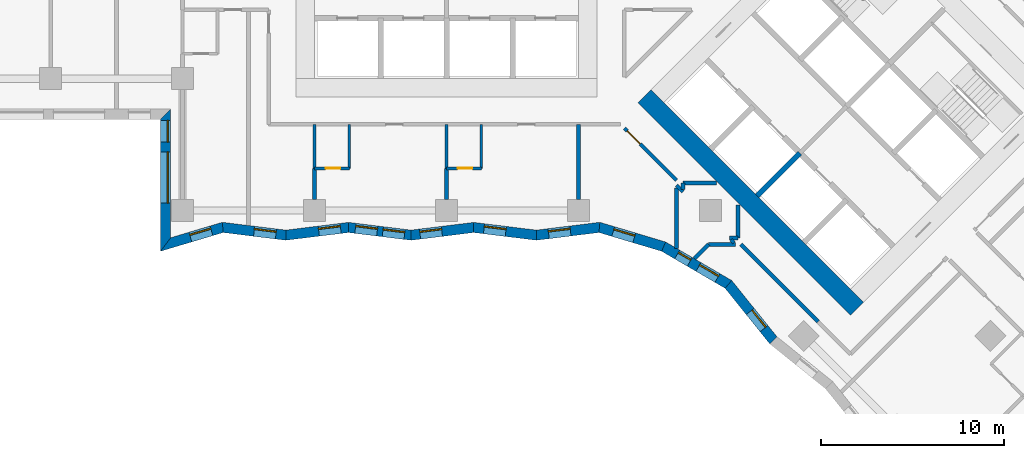
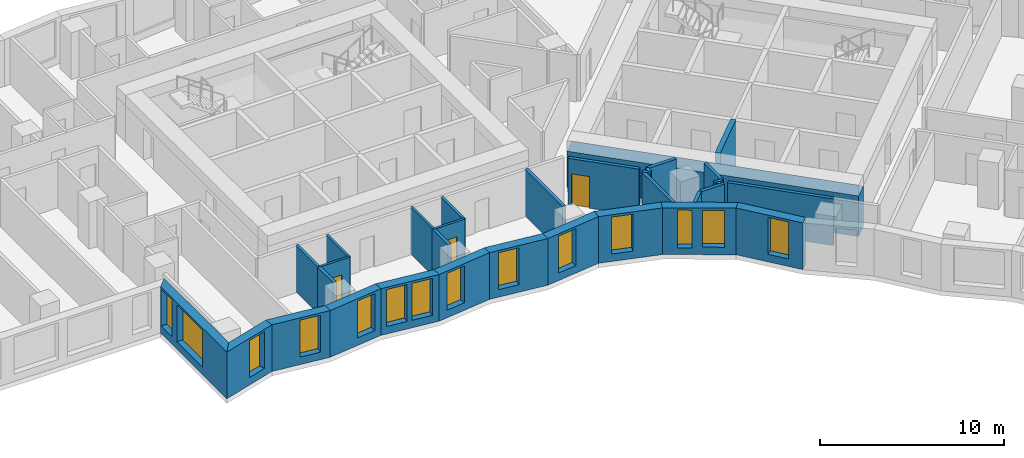
# One storey, part 2 of 13: 33 walls, 14 windows, 3 doors, 17 openings.
"""IFC4 building model written with IfcOpenShell, lengths in metres."""

from ifc_helpers import new_model, si_unit, direction, frame, frame_2d, origin, place, context, subcontext, project, spatial, polyline, rectangle, outline, extrude, material, layer, layer_set, type_object, element, fill, save


model = new_model("IFC4")

# Units and contexts
model_context = context("Model", 3, precision=1e-05, world=origin(), true_north=direction((0.0, 1.0)))
body_context = subcontext(model_context, "Body", "Model", "MODEL_VIEW")
ifc_project = project(units=[si_unit("LENGTHUNIT", "METRE"), si_unit("AREAUNIT", "SQUARE_METRE"), si_unit("VOLUMEUNIT", "CUBIC_METRE"), si_unit("PLANEANGLEUNIT", "RADIAN"), si_unit("MASSUNIT", "GRAM", prefix="KILO")], contexts=[model_context])

# Site, building, storey
site_placement = place(None, origin())
site = spatial("IfcSite", under=ifc_project, at=site_placement, CompositionType="ELEMENT")
building_placement = place(site_placement, origin())
building = spatial("IfcBuilding", under=site, at=building_placement, Name="Windrow Commons", CompositionType="ELEMENT")
storey_placement = place(building_placement, frame((0.0, 0.0, 40.6)))
storey = spatial("IfcBuildingStorey", under=building, at=storey_placement, Name="L10", CompositionType="ELEMENT", Elevation=40.6)

# Wall, openings, windows
ifc_material_1 = material(Name="Brick masonry, red clay brick", Category="masonry")
ifc_layer_1 = layer(ifc_material_1, 0.55)
ifc_layer_set_1 = layer_set([ifc_layer_1], Name="Brick facade wall 550")
wall_type_1 = type_object("IfcWallType", Name="Brick facade wall 550", PredefinedType="SOLIDWALL", material=ifc_layer_set_1)
wall_1_placement = place(storey_placement, frame((49.475, 48.454, 0.0), z_axis=(0.0, 0.0, 1.0), x_axis=(0.0, -1.0, 0.0)))
wall_1 = element("IfcWall", 1, at=wall_1_placement, inside=storey, type_object=wall_type_1, Name="Brick facade wall L10 45", PredefinedType="SOLIDWALL", context=body_context, shape_type="SweptSolid", body=[
    extrude(outline(polyline([(0.275, -0.275), (7.475, -0.275), (6.7366, 0.275), (-0.275, 0.275), (0.275, -0.275)])), origin(), (0.0, 0.0, 1.0), 3.1),
])
opening_1_placement = place(wall_1_placement, frame((2.054, 0.0, 0.5)))
opening_1 = element("IfcOpeningElement", 2, at=opening_1_placement, cuts=wall_1, Name="Opening W1T", PredefinedType="OPENING", context=body_context, shape_type="SweptSolid", body=[
    extrude(rectangle(XDim=2.8, YDim=2.45, at=frame_2d((1.4, 1.225))), frame((0.0, 0.285, 0.0), z_axis=(0.0, -1.0, 0.0), x_axis=(1.0, 0.0, 0.0)), (0.0, 0.0, 1.0), 0.57),
])
opening_2_placement = place(wall_1_placement, frame((0.327, 0.0, 0.5)))
opening_2 = element("IfcOpeningElement", 3, at=opening_2_placement, cuts=wall_1, Name="Opening W7D", PredefinedType="OPENING", context=body_context, shape_type="SweptSolid", body=[
    extrude(rectangle(XDim=1.2, YDim=2.45, at=frame_2d((0.6, 1.225))), frame((0.0, 0.285, 0.0), z_axis=(0.0, -1.0, 0.0), x_axis=(1.0, 0.0, 0.0)), (0.0, 0.0, 1.0), 0.57),
])
ifc_material_2 = material(Name="Clear float glass in anodised aluminium frame", Category="aluminium")
window_type_1 = type_object("IfcWindowType", Name="Window W1T bedroom 2800x2450", PartitioningType="SINGLE_PANEL", PredefinedType="WINDOW", material=ifc_material_2)
window_1_placement = place(opening_1_placement, origin())
window_1 = element("IfcWindow", 4, at=window_1_placement, inside=storey, type_object=window_type_1, Name="Window L10 45.1", OverallHeight=2.45, OverallWidth=2.8, PartitioningType="SINGLE_PANEL", PredefinedType="WINDOW", context=body_context, shape_type="SweptSolid", body=[
    extrude(rectangle(XDim=2.8, YDim=2.45, at=frame_2d((1.4, 1.225))), frame((0.0, 0.155, 0.0), z_axis=(0.0, -1.0, 0.0), x_axis=(1.0, 0.0, 0.0)), (0.0, 0.0, 1.0), 0.06),
])
fill(opening_1, window_1)
ifc_material_3 = material(Name="Clear float glass in anodised aluminium frame", Category="aluminium")
window_type_2 = type_object("IfcWindowType", Name="Window W7 notch 1200x2450", PartitioningType="SINGLE_PANEL", PredefinedType="WINDOW", material=ifc_material_3)
window_2_placement = place(opening_2_placement, origin())
window_2 = element("IfcWindow", 5, at=window_2_placement, inside=storey, type_object=window_type_2, Name="Window L10 45.2", OverallHeight=2.45, OverallWidth=1.2, PartitioningType="SINGLE_PANEL", PredefinedType="WINDOW", context=body_context, shape_type="SweptSolid", body=[
    extrude(rectangle(XDim=1.2, YDim=2.45, at=frame_2d((0.6, 1.225))), frame((0.0, 0.155, 0.0), z_axis=(0.0, -1.0, 0.0), x_axis=(1.0, 0.0, 0.0)), (0.0, 0.0, 1.0), 0.06),
])
fill(opening_2, window_2)

# Wall, opening, window
wall_2_placement = place(storey_placement, frame((49.475, 41.3482, 0.0), z_axis=(0.0, 0.0, 1.0), x_axis=(0.9581327376, 0.2863243914, 0.0)))
wall_2 = element("IfcWall", 6, at=wall_2_placement, inside=storey, type_object=wall_type_1, Name="Brick facade wall L10 46", PredefinedType="SOLIDWALL", context=body_context, shape_type="SweptSolid", body=[
    extrude(outline(polyline([(-0.3692, -0.275), (3.1967, -0.275), (3.3119, 0.275), (0.3692, 0.275), (-0.3692, -0.275)])), origin(), (0.0, 0.0, 1.0), 3.1),
])
opening_3_placement = place(wall_2_placement, frame((1.4099, 0.0, 0.5)))
opening_3 = element("IfcOpeningElement", 7, at=opening_3_placement, cuts=wall_2, Name="Opening W7D", PredefinedType="OPENING", context=body_context, shape_type="SweptSolid", body=[
    extrude(rectangle(XDim=1.2, YDim=2.45, at=frame_2d((0.6, 1.225))), frame((0.0, 0.285, 0.0), z_axis=(0.0, -1.0, 0.0), x_axis=(1.0, 0.0, 0.0)), (0.0, 0.0, 1.0), 0.57),
])
window_3_placement = place(opening_3_placement, origin())
window_3 = element("IfcWindow", 8, at=window_3_placement, inside=storey, type_object=window_type_2, Name="Window L10 46.1", OverallHeight=2.45, OverallWidth=1.2, PartitioningType="SINGLE_PANEL", PredefinedType="WINDOW", context=body_context, shape_type="SweptSolid", body=[
    extrude(rectangle(XDim=1.2, YDim=2.45, at=frame_2d((0.6, 1.225))), frame((0.0, 0.155, 0.0), z_axis=(0.0, -1.0, 0.0), x_axis=(1.0, 0.0, 0.0)), (0.0, 0.0, 1.0), 0.06),
])
fill(opening_3, window_3)

wall_3_placement = place(storey_placement, frame((52.5931, 42.28, 0.0), z_axis=(0.0, 0.0, 1.0), x_axis=(0.9924934036, -0.1222981756, 0.0)))
wall_3 = element("IfcWall", 9, at=wall_3_placement, inside=storey, type_object=wall_type_1, Name="Brick facade wall L10 47", PredefinedType="SOLIDWALL", context=body_context, shape_type="SweptSolid", body=[
    extrude(outline(polyline([(0.0576, -0.275), (3.5001, -0.275), (3.4323, 0.275), (-0.0576, 0.275), (0.0576, -0.275)])), origin(), (0.0, 0.0, 1.0), 3.1),
])
opening_4_placement = place(wall_3_placement, frame((1.7249, 0.0, 0.5)))
opening_4 = element("IfcOpeningElement", 10, at=opening_4_placement, cuts=wall_3, Name="Opening W7D", PredefinedType="OPENING", context=body_context, shape_type="SweptSolid", body=[
    extrude(rectangle(XDim=1.2, YDim=2.45, at=frame_2d((0.6, 1.225))), frame((0.0, 0.285, 0.0), z_axis=(0.0, -1.0, 0.0), x_axis=(1.0, 0.0, 0.0)), (0.0, 0.0, 1.0), 0.57),
])
window_4_placement = place(opening_4_placement, origin())
window_4 = element("IfcWindow", 11, at=window_4_placement, inside=storey, type_object=window_type_2, Name="Window L10 47.1", OverallHeight=2.45, OverallWidth=1.2, PartitioningType="SINGLE_PANEL", PredefinedType="WINDOW", context=body_context, shape_type="SweptSolid", body=[
    extrude(rectangle(XDim=1.2, YDim=2.45, at=frame_2d((0.6, 1.225))), frame((0.0, 0.155, 0.0), z_axis=(0.0, -1.0, 0.0), x_axis=(1.0, 0.0, 0.0)), (0.0, 0.0, 1.0), 0.06),
])
fill(opening_4, window_4)

wall_4_placement = place(storey_placement, frame((56.0332, 41.8561, 0.0), z_axis=(0.0, 0.0, 1.0), x_axis=(0.9924939881, 0.122293432, 0.0)))
wall_4 = element("IfcWall", 12, at=wall_4_placement, inside=storey, type_object=wall_type_1, Name="Brick facade wall L10 48", PredefinedType="SOLIDWALL", context=body_context, shape_type="SweptSolid", body=[
    extrude(outline(polyline([(-0.0339, -0.275), (3.4086, -0.275), (3.4763, 0.275), (0.0339, 0.275), (-0.0339, -0.275)])), origin(), (0.0, 0.0, 1.0), 3.1),
])
opening_5_placement = place(wall_4_placement, frame((1.8105, 0.0, 0.5)))
opening_5 = element("IfcOpeningElement", 13, at=opening_5_placement, cuts=wall_4, Name="Opening W7D", PredefinedType="OPENING", context=body_context, shape_type="SweptSolid", body=[
    extrude(rectangle(XDim=1.2, YDim=2.45, at=frame_2d((0.6, 1.225))), frame((0.0, 0.285, 0.0), z_axis=(0.0, -1.0, 0.0), x_axis=(1.0, 0.0, 0.0)), (0.0, 0.0, 1.0), 0.57),
])
window_5_placement = place(opening_5_placement, origin())
window_5 = element("IfcWindow", 14, at=window_5_placement, inside=storey, type_object=window_type_2, Name="Window L10 48.1", OverallHeight=2.45, OverallWidth=1.2, PartitioningType="SINGLE_PANEL", PredefinedType="WINDOW", context=body_context, shape_type="SweptSolid", body=[
    extrude(rectangle(XDim=1.2, YDim=2.45, at=frame_2d((0.6, 1.225))), frame((0.0, 0.155, 0.0), z_axis=(0.0, -1.0, 0.0), x_axis=(1.0, 0.0, 0.0)), (0.0, 0.0, 1.0), 0.06),
])
fill(opening_5, window_5)

# Wall, openings, windows
wall_5_placement = place(storey_placement, frame((59.4499, 42.2771, 0.0), z_axis=(0.0, 0.0, 1.0), x_axis=(0.9924935537, -0.1222969578, 0.0)))
wall_5 = element("IfcWall", 15, at=wall_5_placement, inside=storey, type_object=wall_type_1, Name="Brick facade wall L10 49", PredefinedType="SOLIDWALL", context=body_context, shape_type="SweptSolid", body=[
    extrude(outline(polyline([(0.0339, -0.275), (3.4763, -0.275), (3.4086, 0.275), (-0.0339, 0.275), (0.0339, -0.275)])), origin(), (0.0, 0.0, 1.0), 3.1),
])
opening_6_placement = place(wall_5_placement, frame((0.3817, 0.0, 0.5)))
opening_6 = element("IfcOpeningElement", 16, at=opening_6_placement, cuts=wall_5, Name="Opening W7D", PredefinedType="OPENING", context=body_context, shape_type="SweptSolid", body=[
    extrude(rectangle(XDim=1.2, YDim=2.45, at=frame_2d((0.6, 1.225))), frame((0.0, 0.285, 0.0), z_axis=(0.0, -1.0, 0.0), x_axis=(1.0, 0.0, 0.0)), (0.0, 0.0, 1.0), 0.57),
])
opening_7_placement = place(wall_5_placement, frame((1.886, 0.0, 0.5)))
opening_7 = element("IfcOpeningElement", 17, at=opening_7_placement, cuts=wall_5, Name="Opening W7D", PredefinedType="OPENING", context=body_context, shape_type="SweptSolid", body=[
    extrude(rectangle(XDim=1.2, YDim=2.45, at=frame_2d((0.6, 1.225))), frame((0.0, 0.285, 0.0), z_axis=(0.0, -1.0, 0.0), x_axis=(1.0, 0.0, 0.0)), (0.0, 0.0, 1.0), 0.57),
])
window_6_placement = place(opening_6_placement, origin())
window_6 = element("IfcWindow", 18, at=window_6_placement, inside=storey, type_object=window_type_2, Name="Window L10 49.1", OverallHeight=2.45, OverallWidth=1.2, PartitioningType="SINGLE_PANEL", PredefinedType="WINDOW", context=body_context, shape_type="SweptSolid", body=[
    extrude(rectangle(XDim=1.2, YDim=2.45, at=frame_2d((0.6, 1.225))), frame((0.0, 0.155, 0.0), z_axis=(0.0, -1.0, 0.0), x_axis=(1.0, 0.0, 0.0)), (0.0, 0.0, 1.0), 0.06),
])
fill(opening_6, window_6)
window_7_placement = place(opening_7_placement, origin())
window_7 = element("IfcWindow", 19, at=window_7_placement, inside=storey, type_object=window_type_2, Name="Window L10 49.2", OverallHeight=2.45, OverallWidth=1.2, PartitioningType="SINGLE_PANEL", PredefinedType="WINDOW", context=body_context, shape_type="SweptSolid", body=[
    extrude(rectangle(XDim=1.2, YDim=2.45, at=frame_2d((0.6, 1.225))), frame((0.0, 0.155, 0.0), z_axis=(0.0, -1.0, 0.0), x_axis=(1.0, 0.0, 0.0)), (0.0, 0.0, 1.0), 0.06),
])
fill(opening_7, window_7)

# Wall, opening, window
wall_6_placement = place(storey_placement, frame((62.8665, 41.8561, 0.0), z_axis=(0.0, 0.0, 1.0), x_axis=(0.9924935537, 0.1222969578, 0.0)))
wall_6 = element("IfcWall", 20, at=wall_6_placement, inside=storey, type_object=wall_type_1, Name="Brick facade wall L10 50", PredefinedType="SOLIDWALL", context=body_context, shape_type="SweptSolid", body=[
    extrude(outline(polyline([(-0.0339, -0.275), (3.4086, -0.275), (3.4763, 0.275), (0.0339, 0.275), (-0.0339, -0.275)])), origin(), (0.0, 0.0, 1.0), 3.1),
])
opening_8_placement = place(wall_6_placement, frame((0.491, 0.0, 0.5)))
opening_8 = element("IfcOpeningElement", 21, at=opening_8_placement, cuts=wall_6, Name="Opening W7D", PredefinedType="OPENING", context=body_context, shape_type="SweptSolid", body=[
    extrude(rectangle(XDim=1.2, YDim=2.45, at=frame_2d((0.6, 1.225))), frame((0.0, 0.285, 0.0), z_axis=(0.0, -1.0, 0.0), x_axis=(1.0, 0.0, 0.0)), (0.0, 0.0, 1.0), 0.57),
])
window_8_placement = place(opening_8_placement, origin())
window_8 = element("IfcWindow", 22, at=window_8_placement, inside=storey, type_object=window_type_2, Name="Window L10 50.1", OverallHeight=2.45, OverallWidth=1.2, PartitioningType="SINGLE_PANEL", PredefinedType="WINDOW", context=body_context, shape_type="SweptSolid", body=[
    extrude(rectangle(XDim=1.2, YDim=2.45, at=frame_2d((0.6, 1.225))), frame((0.0, 0.155, 0.0), z_axis=(0.0, -1.0, 0.0), x_axis=(1.0, 0.0, 0.0)), (0.0, 0.0, 1.0), 0.06),
])
fill(opening_8, window_8)

wall_7_placement = place(storey_placement, frame((66.2831, 42.2771, 0.0), z_axis=(0.0, 0.0, 1.0), x_axis=(0.9924935537, -0.1222969578, 0.0)))
wall_7 = element("IfcWall", 23, at=wall_7_placement, inside=storey, type_object=wall_type_1, Name="Brick facade wall L10 51", PredefinedType="SOLIDWALL", context=body_context, shape_type="SweptSolid", body=[
    extrude(outline(polyline([(0.0339, -0.275), (3.4763, -0.275), (3.4086, 0.275), (-0.0339, 0.275), (0.0339, -0.275)])), origin(), (0.0, 0.0, 1.0), 3.1),
])
opening_9_placement = place(wall_7_placement, frame((0.5664, 0.0, 0.5)))
opening_9 = element("IfcOpeningElement", 24, at=opening_9_placement, cuts=wall_7, Name="Opening W7D", PredefinedType="OPENING", context=body_context, shape_type="SweptSolid", body=[
    extrude(rectangle(XDim=1.2, YDim=2.45, at=frame_2d((0.6, 1.225))), frame((0.0, 0.285, 0.0), z_axis=(0.0, -1.0, 0.0), x_axis=(1.0, 0.0, 0.0)), (0.0, 0.0, 1.0), 0.57),
])
window_9_placement = place(opening_9_placement, origin())
window_9 = element("IfcWindow", 25, at=window_9_placement, inside=storey, type_object=window_type_2, Name="Window L10 51.1", OverallHeight=2.45, OverallWidth=1.2, PartitioningType="SINGLE_PANEL", PredefinedType="WINDOW", context=body_context, shape_type="SweptSolid", body=[
    extrude(rectangle(XDim=1.2, YDim=2.45, at=frame_2d((0.6, 1.225))), frame((0.0, 0.155, 0.0), z_axis=(0.0, -1.0, 0.0), x_axis=(1.0, 0.0, 0.0)), (0.0, 0.0, 1.0), 0.06),
])
fill(opening_9, window_9)

wall_8_placement = place(storey_placement, frame((69.6997, 41.8561, 0.0), z_axis=(0.0, 0.0, 1.0), x_axis=(0.9924938351, 0.1222946738, 0.0)))
wall_8 = element("IfcWall", 26, at=wall_8_placement, inside=storey, type_object=wall_type_1, Name="Brick facade wall L10 52", PredefinedType="SOLIDWALL", context=body_context, shape_type="SweptSolid", body=[
    extrude(outline(polyline([(-0.0339, -0.275), (3.4086, -0.275), (3.5238, 0.275), (0.0339, 0.275), (-0.0339, -0.275)])), origin(), (0.0, 0.0, 1.0), 3.1),
])
opening_10_placement = place(wall_8_placement, frame((0.6758, 0.0, 0.5)))
opening_10 = element("IfcOpeningElement", 27, at=opening_10_placement, cuts=wall_8, Name="Opening W7D", PredefinedType="OPENING", context=body_context, shape_type="SweptSolid", body=[
    extrude(rectangle(XDim=1.2, YDim=2.45, at=frame_2d((0.6, 1.225))), frame((0.0, 0.285, 0.0), z_axis=(0.0, -1.0, 0.0), x_axis=(1.0, 0.0, 0.0)), (0.0, 0.0, 1.0), 0.57),
])
window_10_placement = place(opening_10_placement, origin())
window_10 = element("IfcWindow", 28, at=window_10_placement, inside=storey, type_object=window_type_2, Name="Window L10 52.1", OverallHeight=2.45, OverallWidth=1.2, PartitioningType="SINGLE_PANEL", PredefinedType="WINDOW", context=body_context, shape_type="SweptSolid", body=[
    extrude(rectangle(XDim=1.2, YDim=2.45, at=frame_2d((0.6, 1.225))), frame((0.0, 0.155, 0.0), z_axis=(0.0, -1.0, 0.0), x_axis=(1.0, 0.0, 0.0)), (0.0, 0.0, 1.0), 0.06),
])
fill(opening_10, window_10)

wall_9_placement = place(storey_placement, frame((73.1399, 42.28, 0.0), z_axis=(0.0, 0.0, 1.0), x_axis=(0.9581313629, -0.2863289917, 0.0)))
wall_9 = element("IfcWall", 29, at=wall_9_placement, inside=storey, type_object=wall_type_1, Name="Brick facade wall L10 53", PredefinedType="SOLIDWALL", context=body_context, shape_type="SweptSolid", body=[
    extrude(outline(polyline([(0.0576, -0.275), (3.6235, -0.275), (3.6891, 0.275), (-0.0576, 0.275), (0.0576, -0.275)])), origin(), (0.0, 0.0, 1.0), 3.1),
])
opening_11_placement = place(wall_9_placement, frame((0.7838, 0.0, 0.5)))
opening_11 = element("IfcOpeningElement", 30, at=opening_11_placement, cuts=wall_9, Name="Opening W7D", PredefinedType="OPENING", context=body_context, shape_type="SweptSolid", body=[
    extrude(rectangle(XDim=1.2, YDim=2.45, at=frame_2d((0.6, 1.225))), frame((0.0, 0.285, 0.0), z_axis=(0.0, -1.0, 0.0), x_axis=(1.0, 0.0, 0.0)), (0.0, 0.0, 1.0), 0.57),
])
window_11_placement = place(opening_11_placement, origin())
window_11 = element("IfcWindow", 31, at=window_11_placement, inside=storey, type_object=window_type_2, Name="Window L10 53.1", OverallHeight=2.45, OverallWidth=1.2, PartitioningType="SINGLE_PANEL", PredefinedType="WINDOW", context=body_context, shape_type="SweptSolid", body=[
    extrude(rectangle(XDim=1.2, YDim=2.45, at=frame_2d((0.6, 1.225))), frame((0.0, 0.155, 0.0), z_axis=(0.0, -1.0, 0.0), x_axis=(1.0, 0.0, 0.0)), (0.0, 0.0, 1.0), 0.06),
])
fill(opening_11, window_11)

# Wall, openings, windows
wall_10_placement = place(storey_placement, frame((76.6431, 41.2331, 0.0), z_axis=(0.0, 0.0, 1.0), x_axis=(0.8639313483, -0.5036095962, 0.0)))
wall_10 = element("IfcWall", 32, at=wall_10_placement, inside=storey, type_object=wall_type_1, Name="Brick facade wall L10 54", PredefinedType="SOLIDWALL", context=body_context, shape_type="SweptSolid", body=[
    extrude(outline(polyline([(0.0328, -0.275), (4.0401, -0.275), (4.1419, 0.275), (-0.0328, 0.275), (0.0328, -0.275)])), origin(), (0.0, 0.0, 1.0), 3.1),
])
opening_12_placement = place(wall_10_placement, frame((2.1999, 0.0, 0.5)))
opening_12 = element("IfcOpeningElement", 33, at=opening_12_placement, cuts=wall_10, Name="Opening W7D", PredefinedType="OPENING", context=body_context, shape_type="SweptSolid", body=[
    extrude(rectangle(XDim=1.2, YDim=2.45, at=frame_2d((0.6, 1.225))), frame((0.0, 0.285, 0.0), z_axis=(0.0, -1.0, 0.0), x_axis=(1.0, 0.0, 0.0)), (0.0, 0.0, 1.0), 0.57),
])
opening_13_placement = place(wall_10_placement, frame((0.8539, 0.0, 0.45)))
opening_13 = element("IfcOpeningElement", 34, at=opening_13_placement, cuts=wall_10, Name="Opening W1N", PredefinedType="OPENING", context=body_context, shape_type="SweptSolid", body=[
    extrude(rectangle(XDim=0.8, YDim=2.5, at=frame_2d((0.4, 1.25))), frame((0.0, 0.285, 0.0), z_axis=(0.0, -1.0, 0.0), x_axis=(1.0, 0.0, 0.0)), (0.0, 0.0, 1.0), 0.57),
])
ifc_material_4 = material(Name="Clear float glass in anodised aluminium frame", Category="aluminium")
window_type_3 = type_object("IfcWindowType", Name="Window W1N slit 800x2500", PartitioningType="SINGLE_PANEL", PredefinedType="WINDOW", material=ifc_material_4)
window_12_placement = place(opening_13_placement, origin())
window_12 = element("IfcWindow", 35, at=window_12_placement, inside=storey, type_object=window_type_3, Name="Window L10 54.1A", OverallHeight=2.5, OverallWidth=0.8, PartitioningType="SINGLE_PANEL", PredefinedType="WINDOW", context=body_context, shape_type="SweptSolid", body=[
    extrude(rectangle(XDim=0.8, YDim=2.5, at=frame_2d((0.4, 1.25))), frame((0.0, 0.155, 0.0), z_axis=(0.0, -1.0, 0.0), x_axis=(1.0, 0.0, 0.0)), (0.0, 0.0, 1.0), 0.06),
])
fill(opening_13, window_12)
window_13_placement = place(opening_12_placement, origin())
window_13 = element("IfcWindow", 36, at=window_13_placement, inside=storey, type_object=window_type_2, Name="Window L10 54.2", OverallHeight=2.45, OverallWidth=1.2, PartitioningType="SINGLE_PANEL", PredefinedType="WINDOW", context=body_context, shape_type="SweptSolid", body=[
    extrude(rectangle(XDim=1.2, YDim=2.45, at=frame_2d((0.6, 1.225))), frame((0.0, 0.155, 0.0), z_axis=(0.0, -1.0, 0.0), x_axis=(1.0, 0.0, 0.0)), (0.0, 0.0, 1.0), 0.06),
])
fill(opening_12, window_13)

# Wall, opening, window
wall_11_placement = place(storey_placement, frame((80.1775, 39.1728, 0.0), z_axis=(0.0, 0.0, 1.0), x_axis=(0.6265945981, -0.7793453725, 0.0)))
wall_11 = element("IfcWall", 37, at=wall_11_placement, inside=storey, type_object=wall_type_1, Name="Brick facade wall L10 55", PredefinedType="SOLIDWALL", context=body_context, shape_type="SweptSolid", body=[
    extrude(outline(polyline([(0.0509, -0.275), (3.9487, -0.275), (3.889, 0.275), (-0.0509, 0.275), (0.0509, -0.275)])), origin(), (0.0, 0.0, 1.0), 3.1),
])
opening_14_placement = place(wall_11_placement, frame((1.8966, 0.0, 0.5)))
opening_14 = element("IfcOpeningElement", 38, at=opening_14_placement, cuts=wall_11, Name="Opening W7D", PredefinedType="OPENING", context=body_context, shape_type="SweptSolid", body=[
    extrude(rectangle(XDim=1.2, YDim=2.45, at=frame_2d((0.6, 1.225))), frame((0.0, 0.285, 0.0), z_axis=(0.0, -1.0, 0.0), x_axis=(1.0, 0.0, 0.0)), (0.0, 0.0, 1.0), 0.57),
])
window_14_placement = place(opening_14_placement, origin())
window_14 = element("IfcWindow", 39, at=window_14_placement, inside=storey, type_object=window_type_2, Name="Window L10 55.1", OverallHeight=2.45, OverallWidth=1.2, PartitioningType="SINGLE_PANEL", PredefinedType="WINDOW", context=body_context, shape_type="SweptSolid", body=[
    extrude(rectangle(XDim=1.2, YDim=2.45, at=frame_2d((0.6, 1.225))), frame((0.0, 0.155, 0.0), z_axis=(0.0, -1.0, 0.0), x_axis=(1.0, 0.0, 0.0)), (0.0, 0.0, 1.0), 0.06),
])
fill(opening_14, window_14)

# Wall
ifc_material_5 = material(Name="Blockwork partition", Category="masonry")
ifc_layer_2 = layer(ifc_material_5, 0.2)
ifc_layer_set_2 = layer_set([ifc_layer_2], Name="IW-CORRIDOR-200")
wall_type_2 = type_object("IfcWallType", Name="IW-CORRIDOR-200", PredefinedType="PARTITIONING", material=ifc_layer_set_2)
wall_12_placement = place(storey_placement, frame((85.0698, 37.1418, 0.0), z_axis=(0.0, 0.0, 1.0), x_axis=(-0.7070899851, 0.7071235769, 0.0)))
element("IfcWall", 40, at=wall_12_placement, inside=storey, type_object=wall_type_2, Name="W-L10-W032", PredefinedType="PARTITIONING", context=body_context, shape_type="SweptSolid", body=[
    extrude(rectangle(XDim=5.9538, YDim=0.2, at=frame_2d((2.9769, 0.0))), origin(), (0.0, 0.0, 1.0), 3.1),
])

# Wall, opening, door
wall_13_placement = place(storey_placement, frame((74.5051, 47.6971, 0.0), z_axis=(0.0, 0.0, 1.0), x_axis=(0.7071067812, -0.7071067812, 0.0)))
wall_13 = element("IfcWall", 41, at=wall_13_placement, inside=storey, type_object=wall_type_2, Name="W-L10-W050", PredefinedType="PARTITIONING", context=body_context, shape_type="SweptSolid", body=[
    extrude(rectangle(XDim=4.0192, YDim=0.2, at=frame_2d((2.0096, 0.0))), origin(), (0.0, 0.0, 1.0), 3.1),
])
opening_15_placement = place(wall_13_placement, frame((0.2147, 0.0, 0.0)))
opening_15 = element("IfcOpeningElement", 42, at=opening_15_placement, cuts=wall_13, Name="Opening D310F", PredefinedType="OPENING", context=body_context, shape_type="SweptSolid", body=[
    extrude(rectangle(XDim=1.0, YDim=2.1, at=frame_2d((0.5, 1.05))), frame((0.0, 0.11, 0.0), z_axis=(0.0, -1.0, 0.0), x_axis=(1.0, 0.0, 0.0)), (0.0, 0.0, 1.0), 0.22),
])
ifc_material_6 = material(Name="Timber door leaf", Category="wood")
door_type_1 = type_object("IfcDoorType", Name="DT-AMENITY-1000", OperationType="SINGLE_SWING_LEFT", PredefinedType="DOOR", material=ifc_material_6)
door_1_placement = place(opening_15_placement, origin())
door_1 = element("IfcDoor", 43, at=door_1_placement, inside=storey, type_object=door_type_1, Name="D-L10-D036", OperationType="SINGLE_SWING_LEFT", OverallHeight=2.1, OverallWidth=1.0, PredefinedType="DOOR", context=body_context, shape_type="SweptSolid", body=[
    extrude(rectangle(XDim=1.0, YDim=2.1, at=frame_2d((0.5, 1.05))), frame((0.0, 0.025, 0.0), z_axis=(0.0, -1.0, 0.0), x_axis=(1.0, 0.0, 0.0)), (0.0, 0.0, 1.0), 0.05),
])
fill(opening_15, door_1)

# Walls
for number, where, z_axis, x_axis, name in (
    (44, (77.702, 44.7, 0.0), (0.0, 0.0, 1.0), (1.0, 0.0, 0.0), "W-L10-W143"),
    (45, (80.7, 41.702, 0.0), (0.0, 0.0, 1.0), (0.0, 1.0, 0.0), "W-L10-W144"),
):
    element("IfcWall", number, at=place(storey_placement, frame(where, z_axis=z_axis, x_axis=x_axis)), inside=storey, type_object=wall_type_2, Name=name, PredefinedType="PARTITIONING", context=body_context, shape_type="SweptSolid", body=[
        extrude(rectangle(XDim=1.814, YDim=0.2, at=frame_2d((0.907, 0.0))), origin(), (0.0, 0.0, 1.0), 3.1),
    ])
wall_14_placement = place(storey_placement, frame((77.3467, 44.5727, 0.0), z_axis=(0.0, 0.0, 1.0), x_axis=(0.7071067812, -0.7071067812, 0.0)))
element("IfcWall", 46, at=wall_14_placement, inside=storey, type_object=wall_type_2, Name="W-L10-W187", PredefinedType="PARTITIONING", context=body_context, shape_type="SweptSolid", body=[
    extrude(rectangle(XDim=0.495, YDim=0.2, at=frame_2d((0.2475, 0.0))), origin(), (0.0, 0.0, 1.0), 3.1),
])
wall_15_placement = place(storey_placement, frame((80.3146, 41.6048, 0.0), z_axis=(0.0, 0.0, 1.0), x_axis=(0.7071067812, -0.7071067812, 0.0)))
element("IfcWall", 47, at=wall_15_placement, inside=storey, type_object=wall_type_2, Name="W-L10-W188", PredefinedType="PARTITIONING", context=body_context, shape_type="SweptSolid", body=[
    extrude(rectangle(XDim=0.225, YDim=0.2, at=frame_2d((0.1125, 0.0))), origin(), (0.0, 0.0, 1.0), 3.1),
])
wall_16_placement = place(storey_placement, frame((77.7, 44.356, 0.0), z_axis=(0.0, 0.0, 1.0), x_axis=(0.0, 1.0, 0.0)))
element("IfcWall", 48, at=wall_16_placement, inside=storey, type_object=wall_type_2, Name="W-L10-W191", PredefinedType="PARTITIONING", context=body_context, shape_type="SweptSolid", body=[
    extrude(rectangle(XDim=0.344, YDim=0.2, at=frame_2d((0.172, 0.0))), origin(), (0.0, 0.0, 1.0), 3.1),
])
wall_17_placement = place(storey_placement, frame((80.226, 41.7, 0.0), z_axis=(0.0, 0.0, 1.0), x_axis=(1.0, 0.0, 0.0)))
element("IfcWall", 49, at=wall_17_placement, inside=storey, type_object=wall_type_2, Name="W-L10-W192", PredefinedType="PARTITIONING", context=body_context, shape_type="SweptSolid", body=[
    extrude(rectangle(XDim=0.474, YDim=0.2, at=frame_2d((0.237, 0.0))), origin(), (0.0, 0.0, 1.0), 3.1),
])
ifc_material_7 = material(Name="Blockwork partition", Category="masonry")
ifc_layer_3 = layer(ifc_material_7, 0.15)
ifc_layer_set_3 = layer_set([ifc_layer_3], Name="IW-ENSUITE-150")
wall_type_3 = type_object("IfcWallType", Name="IW-ENSUITE-150", PredefinedType="PARTITIONING", material=ifc_layer_set_3)
for number, where, z_axis, x_axis, name in (
    (50, (59.5, 45.5, 0.0), (0.0, 0.0, 1.0), (0.0, 1.0, 0.0), "W-L10-W088"),
    (51, (57.6, 45.5, 0.0), (0.0, 0.0, 1.0), (0.0, 1.0, 0.0), "W-L10-W089"),
    (52, (66.7, 45.5, 0.0), (0.0, 0.0, 1.0), (0.0, 1.0, 0.0), "W-L10-W090"),
    (53, (64.8, 45.5, 0.0), (0.0, 0.0, 1.0), (0.0, 1.0, 0.0), "W-L10-W091"),
):
    element("IfcWall", number, at=place(storey_placement, frame(where, z_axis=z_axis, x_axis=x_axis)), inside=storey, type_object=wall_type_3, Name=name, PredefinedType="PARTITIONING", context=body_context, shape_type="SweptSolid", body=[
        extrude(rectangle(XDim=2.4, YDim=0.15, at=frame_2d((1.2, 0.0))), origin(), (0.0, 0.0, 1.0), 3.1),
    ])

# Wall, opening, door
wall_18_placement = place(storey_placement, frame((64.8, 45.5, 0.0), z_axis=(0.0, 0.0, 1.0), x_axis=(1.0, 0.0, 0.0)))
wall_18 = element("IfcWall", 54, at=wall_18_placement, inside=storey, type_object=wall_type_3, Name="W-L10-W127", PredefinedType="PARTITIONING", context=body_context, shape_type="SweptSolid", body=[
    extrude(rectangle(XDim=1.9, YDim=0.15, at=frame_2d((0.95, 0.0))), origin(), (0.0, 0.0, 1.0), 3.1),
])
opening_16_placement = place(wall_18_placement, frame((0.6069, 0.0, 0.0)))
opening_16 = element("IfcOpeningElement", 55, at=opening_16_placement, cuts=wall_18, Name="Opening D208N", PredefinedType="OPENING", context=body_context, shape_type="SweptSolid", body=[
    extrude(rectangle(XDim=0.8, YDim=2.1, at=frame_2d((0.4, 1.05))), frame((0.0, 0.085, 0.0), z_axis=(0.0, -1.0, 0.0), x_axis=(1.0, 0.0, 0.0)), (0.0, 0.0, 1.0), 0.17),
])
ifc_material_8 = material(Name="Timber door leaf", Category="wood")
door_type_2 = type_object("IfcDoorType", Name="DT-ENSUITE-800", OperationType="SINGLE_SWING_LEFT", PredefinedType="DOOR", material=ifc_material_8)
door_2_placement = place(opening_16_placement, origin())
door_2 = element("IfcDoor", 56, at=door_2_placement, inside=storey, type_object=door_type_2, Name="D-L10-D035", OperationType="SINGLE_SWING_RIGHT", OverallHeight=2.1, OverallWidth=0.8, PredefinedType="DOOR", context=body_context, shape_type="SweptSolid", body=[
    extrude(rectangle(XDim=0.8, YDim=2.1, at=frame_2d((0.4, 1.05))), frame((0.0, 0.025, 0.0), z_axis=(0.0, -1.0, 0.0), x_axis=(1.0, 0.0, 0.0)), (0.0, 0.0, 1.0), 0.05),
])
fill(opening_16, door_2)

wall_19_placement = place(storey_placement, frame((57.6, 45.5, 0.0), z_axis=(0.0, 0.0, 1.0), x_axis=(1.0, 0.0, 0.0)))
wall_19 = element("IfcWall", 57, at=wall_19_placement, inside=storey, type_object=wall_type_3, Name="W-L10-W135", PredefinedType="PARTITIONING", context=body_context, shape_type="SweptSolid", body=[
    extrude(rectangle(XDim=1.9, YDim=0.15, at=frame_2d((0.95, 0.0))), origin(), (0.0, 0.0, 1.0), 3.1),
])
opening_17_placement = place(wall_19_placement, frame((0.6069, 0.0, 0.0)))
opening_17 = element("IfcOpeningElement", 58, at=opening_17_placement, cuts=wall_19, Name="Opening D208N", PredefinedType="OPENING", context=body_context, shape_type="SweptSolid", body=[
    extrude(rectangle(XDim=0.8, YDim=2.1, at=frame_2d((0.4, 1.05))), frame((0.0, 0.085, 0.0), z_axis=(0.0, -1.0, 0.0), x_axis=(1.0, 0.0, 0.0)), (0.0, 0.0, 1.0), 0.17),
])
door_3_placement = place(opening_17_placement, origin())
door_3 = element("IfcDoor", 59, at=door_3_placement, inside=storey, type_object=door_type_2, Name="D-L10-D033", OperationType="SINGLE_SWING_RIGHT", OverallHeight=2.1, OverallWidth=0.8, PredefinedType="DOOR", context=body_context, shape_type="SweptSolid", body=[
    extrude(rectangle(XDim=0.8, YDim=2.1, at=frame_2d((0.4, 1.05))), frame((0.0, 0.025, 0.0), z_axis=(0.0, -1.0, 0.0), x_axis=(1.0, 0.0, 0.0)), (0.0, 0.0, 1.0), 0.05),
])
fill(opening_17, door_3)

# Walls
ifc_material_9 = material(Name="Blockwork partition", Category="masonry")
ifc_layer_4 = layer(ifc_material_9, 0.2)
ifc_layer_set_4 = layer_set([ifc_layer_4], Name="IW-PARTY-200")
wall_type_4 = type_object("IfcWallType", Name="IW-PARTY-200", PredefinedType="PARTITIONING", material=ifc_layer_set_4)
wall_20_placement = place(storey_placement, frame((72.0, 43.8, 0.0), z_axis=(0.0, 0.0, 1.0), x_axis=(0.0, 1.0, 0.0)))
element("IfcWall", 60, at=wall_20_placement, inside=storey, type_object=wall_type_4, Name="W-L10-W049", PredefinedType="PARTITIONING", context=body_context, shape_type="SweptSolid", body=[
    extrude(rectangle(XDim=4.1, YDim=0.2, at=frame_2d((2.05, 0.0))), origin(), (0.0, 0.0, 1.0), 3.1),
])
wall_21_placement = place(storey_placement, frame((77.35, 41.1394, 0.0), z_axis=(0.0, 0.0, 1.0), x_axis=(0.0, 1.0, 0.0)))
element("IfcWall", 61, at=wall_21_placement, inside=storey, type_object=wall_type_4, Name="W-L10-W059", PredefinedType="PARTITIONING", context=body_context, shape_type="SweptSolid", body=[
    extrude(rectangle(XDim=3.2966, YDim=0.2, at=frame_2d((1.6483, 0.0))), origin(), (0.0, 0.0, 1.0), 3.1),
])
for number, where, z_axis, x_axis, name in (
    (62, (57.6, 43.8, 0.0), (0.0, 0.0, 1.0), (0.0, 1.0, 0.0), "W-L10-W146"),
    (63, (64.8, 43.8, 0.0), (0.0, 0.0, 1.0), (0.0, 1.0, 0.0), "W-L10-W148"),
):
    element("IfcWall", number, at=place(storey_placement, frame(where, z_axis=z_axis, x_axis=x_axis)), inside=storey, type_object=wall_type_4, Name=name, PredefinedType="PARTITIONING", context=body_context, shape_type="SweptSolid", body=[
        extrude(rectangle(XDim=1.7, YDim=0.2, at=frame_2d((0.85, 0.0))), origin(), (0.0, 0.0, 1.0), 3.1),
    ])
wall_22_placement = place(storey_placement, frame((79.098, 41.35, 0.0), z_axis=(0.0, 0.0, 1.0), x_axis=(1.0, 0.0, 0.0)))
element("IfcWall", 64, at=wall_22_placement, inside=storey, type_object=wall_type_4, Name="W-L10-W152", PredefinedType="PARTITIONING", context=body_context, shape_type="SweptSolid", body=[
    extrude(rectangle(XDim=1.478, YDim=0.2, at=frame_2d((0.739, 0.0))), origin(), (0.0, 0.0, 1.0), 3.1),
])
wall_23_placement = place(storey_placement, frame((78.3195, 40.5742, 0.0), z_axis=(0.0, 0.0, 1.0), x_axis=(0.7071523319, 0.7070612275, 0.0)))
element("IfcWall", 65, at=wall_23_placement, inside=storey, type_object=wall_type_4, Name="W-L10-W155", PredefinedType="PARTITIONING", context=body_context, shape_type="SweptSolid", body=[
    extrude(rectangle(XDim=1.0976, YDim=0.2, at=frame_2d((0.5488, 0.0))), origin(), (0.0, 0.0, 1.0), 3.1),
])
ifc_material_10 = material(Name="Concrete C60/75", Category="concrete")
ifc_layer_5 = layer(ifc_material_10, 1.0)
ifc_layer_set_5 = layer_set([ifc_layer_5], Name="RC CORE WALL 1000 C60/75")
wall_type_5 = type_object("IfcWallType", Name="RC CORE WALL 1000 C60/75", PredefinedType="SHEAR", material=ifc_layer_set_5)
wall_24_placement = place(storey_placement, frame((75.5938, 49.4433, -0.3), z_axis=(0.0, 0.0, 1.0), x_axis=(0.7071037324, -0.70710983, 0.0)))
element("IfcWall", 66, at=wall_24_placement, inside=storey, type_object=wall_type_5, Name="Core B wall outer-S", PredefinedType="SHEAR", context=body_context, shape_type="SweptSolid", body=[
    extrude(rectangle(XDim=16.4, YDim=1.0, at=frame_2d((8.2, 0.0))), origin(), (0.0, 0.0, 1.0), 2.7),
])
ifc_material_11 = material(Name="Concrete C60/75", Category="concrete")
ifc_layer_6 = layer(ifc_material_11, 0.3)
ifc_layer_set_6 = layer_set([ifc_layer_6], Name="RC SHAFT WALL 300 C60/75")
wall_type_6 = type_object("IfcWallType", Name="RC SHAFT WALL 300 C60/75", PredefinedType="SOLIDWALL", material=ifc_layer_set_6)
wall_25_placement = place(storey_placement, frame((81.7456, 43.9986, 0.0), z_axis=(0.0, 0.0, 1.0), x_axis=(0.7071067812, 0.7071067812, 0.0)))
element("IfcWall", 67, at=wall_25_placement, inside=storey, type_object=wall_type_6, Name="Core B wall shaft-S2", PredefinedType="SOLIDWALL", context=body_context, shape_type="SweptSolid", body=[
    extrude(rectangle(XDim=3.2999, YDim=0.3, at=frame_2d((1.65, 0.0))), origin(), (0.0, 0.0, 1.0), 3.1),
])

save(model, "model.ifc")
